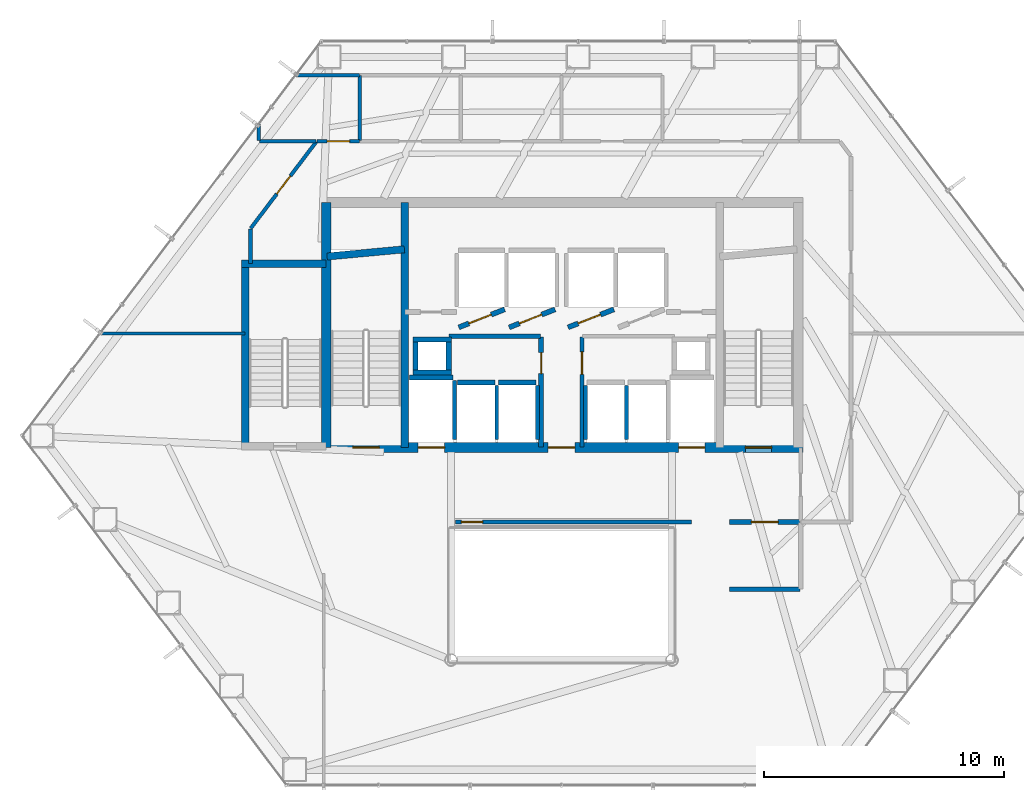
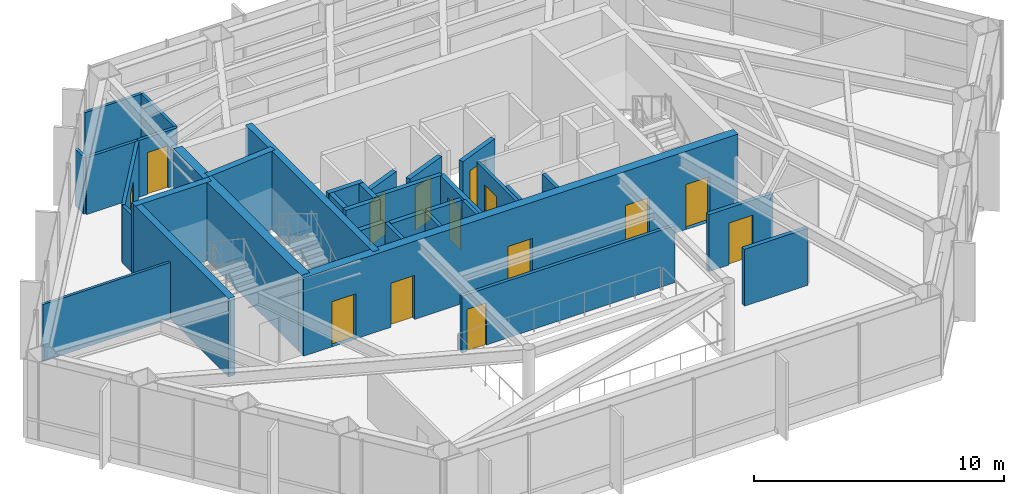
# One storey, part 23 of 26: 35 walls, 14 doors, 14 openings.
"""IFC4 building model written with IfcOpenShell, lengths in metres."""

from ifc_helpers import new_model, si_unit, direction, frame, frame_2d, origin, place, context, subcontext, project, spatial, rectangle, extrude, material, layer, layer_set, type_object, element, fill, save


model = new_model("IFC4")

# Units and contexts
model_context = context("Model", 3, precision=1e-05, world=origin(), true_north=direction((0.0, 1.0)))
body_context = subcontext(model_context, "Body", "Model", "MODEL_VIEW")
ifc_project = project(units=[si_unit("LENGTHUNIT", "METRE"), si_unit("AREAUNIT", "SQUARE_METRE"), si_unit("VOLUMEUNIT", "CUBIC_METRE"), si_unit("PLANEANGLEUNIT", "RADIAN"), si_unit("MASSUNIT", "GRAM", prefix="KILO")], contexts=[model_context])

# Site, building, storey
site_placement = place(None, origin())
site = spatial("IfcSite", under=ifc_project, at=site_placement, CompositionType="ELEMENT")
building_placement = place(site_placement, origin())
building = spatial("IfcBuilding", under=site, at=building_placement, Name="Zarrinselat Tower", CompositionType="ELEMENT")
storey_placement = place(building_placement, frame((0.0, 0.0, 27.5400390625)))
storey = spatial("IfcBuildingStorey", under=building, at=storey_placement, Name="L06", CompositionType="ELEMENT", Elevation=27.5400390625)

# Wall, opening, door
ifc_material_1 = material(Name="Concrete C40/50", Category="concrete")
ifc_layer_1 = layer(ifc_material_1, 0.18994140625)
ifc_layer_set_1 = layer_set([ifc_layer_1], Name="Concrete C40/50")
wall_type_1 = type_object("IfcWallType", Name="WAL-PART-EI120", PredefinedType="PARTITIONING", material=ifc_layer_set_1)
wall_1_placement = place(storey_placement, frame((45.385009765625, 30.14990234375, 0.0), z_axis=(0.0, 0.0, 1.0), x_axis=(1.0, 0.0, 0.0)))
wall_1 = element("IfcWall", 1, at=wall_1_placement, inside=storey, type_object=wall_type_1, Name="L06 Partition Wall 8", PredefinedType="PARTITIONING", context=body_context, shape_type="SweptSolid", body=[
    extrude(rectangle(XDim=2.945068359375, YDim=0.18994140625, at=frame_2d((1.47265625, 0.0))), origin(), (0.0, 0.0, 1.0), 2.77685546875),
])
opening_1_placement = place(wall_1_placement, frame((0.91259765625, 0.0, 0.0)))
opening_1 = element("IfcOpeningElement", 2, at=opening_1_placement, cuts=wall_1, Name="Opening ID-02", PredefinedType="OPENING", context=body_context, shape_type="SweptSolid", body=[
    extrude(rectangle(XDim=1.1201171875, YDim=2.050048828125, at=frame_2d((0.56005859375, 1.02490234375))), frame((0.0, 0.10498046875, 0.0), z_axis=(0.0, -1.0, 0.0), x_axis=(1.0, 0.0, 0.0)), (0.0, 0.0, 1.0), 0.2099609375),
])
ifc_material_2 = material(Name="Steel S355J2", Category="steel")
door_type_1 = type_object("IfcDoorType", Name="DR-INT-FD60-W", OperationType="NOTDEFINED", PredefinedType="DOOR", material=ifc_material_2)
door_1_placement = place(opening_1_placement, origin())
door_1 = element("IfcDoor", 3, at=door_1_placement, inside=storey, type_object=door_type_1, Name="L06 Interior Door P8", OperationType="SINGLE_SWING_LEFT", OverallHeight=2.050048828125, OverallWidth=1.1201171875, PredefinedType="DOOR", context=body_context, shape_type="SweptSolid", body=[
    extrude(rectangle(XDim=1.1201171875, YDim=2.050048828125, at=frame_2d((0.56005859375, 1.02490234375))), frame((0.0, 0.02490234375, 0.0), z_axis=(0.0, -1.0, 0.0), x_axis=(1.0, 0.0, 0.0)), (0.0, 0.0, 1.0), 0.050048828125),
])
fill(opening_1, door_1)

# Wall
wall_2_placement = place(storey_placement, frame((45.39990234375, 27.35009765625, 0.0), z_axis=(0.0, 0.0, 1.0), x_axis=(1.0, 0.0, 0.0)))
element("IfcWall", 4, at=wall_2_placement, inside=storey, type_object=wall_type_1, Name="L06 Partition Wall 11", PredefinedType="PARTITIONING", context=body_context, shape_type="SweptSolid", body=[
    extrude(rectangle(XDim=2.93017578125, YDim=0.18994140625, at=frame_2d((1.465087890625, 0.0))), origin(), (0.0, 0.0, 1.0), 2.77685546875),
])

# Wall, opening, door
ifc_material_3 = material(Name="Fire-Rated Gypsum Board Partition", Category="gypsum")
ifc_layer_2 = layer(ifc_material_3, 0.14990234375)
ifc_layer_set_2 = layer_set([ifc_layer_2], Name="Fire-Rated Gypsum Board Partition")
wall_type_2 = type_object("IfcWallType", Name="WAL-PART-EI60", PredefinedType="PARTITIONING", material=ifc_layer_set_2)
wall_3_placement = place(storey_placement, frame((39.25, 33.264892578125, 0.0), z_axis=(0.0, 0.0, 1.0), x_axis=(0.0, 1.0, 0.0)))
wall_3 = element("IfcWall", 5, at=wall_3_placement, inside=storey, type_object=wall_type_2, Name="L06 Partition Wall 7", PredefinedType="PARTITIONING", context=body_context, shape_type="SweptSolid", body=[
    extrude(rectangle(XDim=4.59521484375, YDim=0.14990234375, at=frame_2d((2.297607421875, 0.0))), origin(), (0.0, 0.0, 1.0), 2.77685546875),
])
opening_2_placement = place(wall_3_placement, frame((3.027587890625, 0.0, 0.0)))
opening_2 = element("IfcOpeningElement", 6, at=opening_2_placement, cuts=wall_3, Name="Opening ID-04", PredefinedType="OPENING", context=body_context, shape_type="SweptSolid", body=[
    extrude(rectangle(XDim=0.93994140625, YDim=2.050048828125, at=frame_2d((0.469970703125, 1.02490234375))), frame((0.0, 0.0849609375, 0.0), z_axis=(0.0, -1.0, 0.0), x_axis=(1.0, 0.0, 0.0)), (0.0, 0.0, 1.0), 0.169921875),
])
ifc_material_4 = material(Name="Fire-Rated Gypsum Board Partition")
door_type_2 = type_object("IfcDoorType", Name="DR-INT-FD30-ENT", OperationType="NOTDEFINED", PredefinedType="DOOR", material=ifc_material_4)
door_2_placement = place(opening_2_placement, origin())
door_2 = element("IfcDoor", 7, at=door_2_placement, inside=storey, type_object=door_type_2, Name="L06 Interior Door P7", OperationType="SINGLE_SWING_RIGHT", OverallHeight=2.050048828125, OverallWidth=0.93994140625, PredefinedType="DOOR", context=body_context, shape_type="SweptSolid", body=[
    extrude(rectangle(XDim=0.93994140625, YDim=2.050048828125, at=frame_2d((0.469970703125, 1.02490234375))), frame((0.0, 0.02490234375, 0.0), z_axis=(0.0, -1.0, 0.0), x_axis=(1.0, 0.0, 0.0)), (0.0, 0.0, 1.0), 0.050048828125),
])
fill(opening_2, door_2)

wall_4_placement = place(storey_placement, frame((33.985107421875, 30.14990234375, 0.0), z_axis=(0.0, 0.0, 1.0), x_axis=(1.0, 0.0, 0.0)))
wall_4 = element("IfcWall", 8, at=wall_4_placement, inside=storey, type_object=wall_type_2, Name="L06 Partition Wall 10", PredefinedType="PARTITIONING", context=body_context, shape_type="SweptSolid", body=[
    extrude(rectangle(XDim=9.829833984375, YDim=0.14990234375, at=frame_2d((4.9150390625, 0.0))), origin(), (0.0, 0.0, 1.0), 2.77685546875),
])
opening_3_placement = place(wall_4_placement, frame((0.25, 0.0, 0.0)))
opening_3 = element("IfcOpeningElement", 9, at=opening_3_placement, cuts=wall_4, Name="Opening ID-03", PredefinedType="OPENING", context=body_context, shape_type="SweptSolid", body=[
    extrude(rectangle(XDim=0.8798828125, YDim=2.050048828125, at=frame_2d((0.43994140625, 1.02490234375))), frame((0.0, 0.0849609375, 0.0), z_axis=(0.0, -1.0, 0.0), x_axis=(1.0, 0.0, 0.0)), (0.0, 0.0, 1.0), 0.169921875),
])
ifc_material_5 = material(Name="Steel S355J2", Category="steel")
door_type_3 = type_object("IfcDoorType", Name="DR-INT-FD60-S", OperationType="NOTDEFINED", PredefinedType="DOOR", material=ifc_material_5)
door_3_placement = place(opening_3_placement, origin())
door_3 = element("IfcDoor", 10, at=door_3_placement, inside=storey, type_object=door_type_3, Name="L06 Interior Door P10", OperationType="SINGLE_SWING_LEFT", OverallHeight=2.050048828125, OverallWidth=0.8798828125, PredefinedType="DOOR", context=body_context, shape_type="SweptSolid", body=[
    extrude(rectangle(XDim=0.8798828125, YDim=2.050048828125, at=frame_2d((0.43994140625, 1.02490234375))), frame((0.0, 0.02490234375, 0.0), z_axis=(0.0, -1.0, 0.0), x_axis=(1.0, 0.0, 0.0)), (0.0, 0.0, 1.0), 0.050048828125),
])
fill(opening_3, door_3)

wall_5_placement = place(storey_placement, frame((28.222900390625, 46.0, 0.0), z_axis=(0.0, 0.0, 1.0), x_axis=(1.0, 0.0, 0.0)))
wall_5 = element("IfcWall", 11, at=wall_5_placement, inside=storey, type_object=wall_type_2, Name="L06 Partition Wall 13", PredefinedType="PARTITIONING", context=body_context, shape_type="SweptSolid", body=[
    extrude(rectangle(XDim=1.772216796875, YDim=0.14990234375, at=frame_2d((0.88623046875, 0.0))), origin(), (0.0, 0.0, 1.0), 2.77685546875),
])
opening_4_placement = place(wall_5_placement, frame((0.416015625, 0.0, 0.0)))
opening_4 = element("IfcOpeningElement", 12, at=opening_4_placement, cuts=wall_5, Name="Opening ID-04", PredefinedType="OPENING", context=body_context, shape_type="SweptSolid", body=[
    extrude(rectangle(XDim=0.93994140625, YDim=2.050048828125, at=frame_2d((0.469970703125, 1.02490234375))), frame((0.0, 0.0849609375, 0.0), z_axis=(0.0, -1.0, 0.0), x_axis=(1.0, 0.0, 0.0)), (0.0, 0.0, 1.0), 0.169921875),
])
door_4_placement = place(opening_4_placement, origin())
door_4 = element("IfcDoor", 13, at=door_4_placement, inside=storey, type_object=door_type_2, Name="L06 Interior Door P13", OperationType="SINGLE_SWING_RIGHT", OverallHeight=2.050048828125, OverallWidth=0.93994140625, PredefinedType="DOOR", context=body_context, shape_type="SweptSolid", body=[
    extrude(rectangle(XDim=0.93994140625, YDim=2.050048828125, at=frame_2d((0.469970703125, 1.02490234375))), frame((0.0, 0.02490234375, 0.0), z_axis=(0.0, -1.0, 0.0), x_axis=(1.0, 0.0, 0.0)), (0.0, 0.0, 1.0), 0.050048828125),
])
fill(opening_4, door_4)

# Wall
wall_6_placement = place(storey_placement, frame((25.449951171875, 40.9150390625, 0.0), z_axis=(0.0, 0.0, 1.0), x_axis=(0.0, 1.0, 0.0)))
element("IfcWall", 14, at=wall_6_placement, inside=storey, type_object=wall_type_2, Name="L06 Partition Wall 19", PredefinedType="PARTITIONING", context=body_context, shape_type="SweptSolid", body=[
    extrude(rectangle(XDim=1.424560546875, YDim=0.14990234375, at=frame_2d((0.71240234375, 0.0))), origin(), (0.0, 0.0, 1.0), 2.77685546875),
])

# Wall, opening, door
wall_7_placement = place(storey_placement, frame((25.462158203125, 42.37548828125, 0.0), z_axis=(0.0, 0.0, 1.0), x_axis=(0.603832768772, 0.797111025741, 0.0)))
wall_7 = element("IfcWall", 15, at=wall_7_placement, inside=storey, type_object=wall_type_2, Name="L06 Partition Wall 20", PredefinedType="PARTITIONING", context=body_context, shape_type="SweptSolid", body=[
    extrude(rectangle(XDim=4.527099609375, YDim=0.14990234375, at=frame_2d((2.263671875, 0.0))), origin(), (0.0, 0.0, 1.0), 2.77685546875),
])
opening_5_placement = place(wall_7_placement, frame((1.79345703125, 0.0, 0.0)))
opening_5 = element("IfcOpeningElement", 16, at=opening_5_placement, cuts=wall_7, Name="Opening ID-04", PredefinedType="OPENING", context=body_context, shape_type="SweptSolid", body=[
    extrude(rectangle(XDim=0.93994140625, YDim=2.050048828125, at=frame_2d((0.469970703125, 1.02490234375))), frame((0.0, 0.0849609375, 0.0), z_axis=(0.0, -1.0, 0.0), x_axis=(1.0, 0.0, 0.0)), (0.0, 0.0, 1.0), 0.169921875),
])
door_5_placement = place(opening_5_placement, origin())
door_5 = element("IfcDoor", 17, at=door_5_placement, inside=storey, type_object=door_type_2, Name="L06 Interior Door P20", OperationType="SINGLE_SWING_LEFT", OverallHeight=2.050048828125, OverallWidth=0.93994140625, PredefinedType="DOOR", context=body_context, shape_type="SweptSolid", body=[
    extrude(rectangle(XDim=0.93994140625, YDim=2.050048828125, at=frame_2d((0.469970703125, 1.02490234375))), frame((0.0, 0.02490234375, 0.0), z_axis=(0.0, -1.0, 0.0), x_axis=(1.0, 0.0, 0.0)), (0.0, 0.0, 1.0), 0.050048828125),
])
fill(opening_5, door_5)

ifc_material_6 = material(Name="Concrete C40/50", Category="concrete")
ifc_layer_3 = layer(ifc_material_6, 0.199951171875)
ifc_layer_set_3 = layer_set([ifc_layer_3], Name="Concrete C40/50")
wall_type_3 = type_object("IfcWallType", Name="WAL-PART-PLANT", PredefinedType="PARTITIONING", material=ifc_layer_set_3)
wall_8_placement = place(storey_placement, frame((37.550048828125, 33.264892578125, 0.0), z_axis=(0.0, 0.0, 1.0), x_axis=(0.0, 1.0, 0.0)))
wall_8 = element("IfcWall", 18, at=wall_8_placement, inside=storey, type_object=wall_type_3, Name="L06 Partition Wall 1", PredefinedType="PARTITIONING", context=body_context, shape_type="SweptSolid", body=[
    extrude(rectangle(XDim=4.59521484375, YDim=0.199951171875, at=frame_2d((2.297607421875, 0.0))), origin(), (0.0, 0.0, 1.0), 2.77685546875),
])
opening_6_placement = place(wall_8_placement, frame((3.0576171875, 0.0, 0.0)))
opening_6 = element("IfcOpeningElement", 19, at=opening_6_placement, cuts=wall_8, Name="Opening ID-03", PredefinedType="OPENING", context=body_context, shape_type="SweptSolid", body=[
    extrude(rectangle(XDim=0.8798828125, YDim=2.050048828125, at=frame_2d((0.43994140625, 1.02490234375))), frame((0.0, 0.10986328125, 0.0), z_axis=(0.0, -1.0, 0.0), x_axis=(1.0, 0.0, 0.0)), (0.0, 0.0, 1.0), 0.219970703125),
])
door_6_placement = place(opening_6_placement, origin())
door_6 = element("IfcDoor", 20, at=door_6_placement, inside=storey, type_object=door_type_3, Name="L06 Interior Door P1", OperationType="SINGLE_SWING_LEFT", OverallHeight=2.050048828125, OverallWidth=0.8798828125, PredefinedType="DOOR", context=body_context, shape_type="SweptSolid", body=[
    extrude(rectangle(XDim=0.8798828125, YDim=2.050048828125, at=frame_2d((0.43994140625, 1.02490234375))), frame((0.0, 0.02490234375, 0.0), z_axis=(0.0, -1.0, 0.0), x_axis=(1.0, 0.0, 0.0)), (0.0, 0.0, 1.0), 0.050048828125),
])
fill(opening_6, door_6)

# Walls
wall_9_placement = place(storey_placement, frame((33.705078125, 37.8798828125, 0.0), z_axis=(0.0, 0.0, 1.0), x_axis=(1.0, 0.0, 0.0)))
element("IfcWall", 21, at=wall_9_placement, inside=storey, type_object=wall_type_3, Name="L06 Partition Wall 2", PredefinedType="PARTITIONING", context=body_context, shape_type="SweptSolid", body=[
    extrude(rectangle(XDim=3.824951171875, YDim=0.199951171875, at=frame_2d((1.91259765625, 0.0))), origin(), (0.0, 0.0, 1.0), 2.77685546875),
])
ifc_material_7 = material(Name="Fire-Rated Gypsum Board Partition", Category="gypsum")
ifc_layer_4 = layer(ifc_material_7, 0.1201171875)
ifc_layer_set_4 = layer_set([ifc_layer_4], Name="Fire-Rated Gypsum Board Partition")
wall_type_4 = type_object("IfcWallType", Name="WAL-PART-STD", PredefinedType="PARTITIONING", material=ifc_layer_set_4)
wall_10_placement = place(storey_placement, frame((19.201416015625, 38.0, 0.0), z_axis=(0.0, 0.0, 1.0), x_axis=(1.0, 0.0, 0.0)))
element("IfcWall", 22, at=wall_10_placement, inside=storey, type_object=wall_type_4, Name="L06 Partition Wall 37", PredefinedType="PARTITIONING", context=body_context, shape_type="SweptSolid", body=[
    extrude(rectangle(XDim=6.013671875, YDim=0.1201171875, at=frame_2d((3.0068359375, 0.0))), origin(), (0.0, 0.0, 1.0), 2.77685546875),
])
ifc_material_8 = material(Name="Fire-Rated Gypsum Board Partition", Category="gypsum")
ifc_layer_5 = layer(ifc_material_8, 0.135009765625)
ifc_layer_set_5 = layer_set([ifc_layer_5], Name="Fire-Rated Gypsum Board Partition")
wall_type_5 = type_object("IfcWallType", Name="WAL-PART-WET", PredefinedType="PARTITIONING", material=ifc_layer_set_5)
wall_11_placement = place(storey_placement, frame((30.0, 46.02001953125, 0.0), z_axis=(0.0, 0.0, 1.0), x_axis=(0.0, 1.0, 0.0)))
element("IfcWall", 23, at=wall_11_placement, inside=storey, type_object=wall_type_5, Name="L06 Partition Wall 26", PredefinedType="PARTITIONING", context=body_context, shape_type="SweptSolid", body=[
    extrude(rectangle(XDim=2.7099609375, YDim=0.135009765625, at=frame_2d((1.35498046875, 0.0))), origin(), (0.0, 0.0, 1.0), 2.77685546875),
])
wall_12_placement = place(storey_placement, frame((25.820068359375, 46.0, 0.0), z_axis=(0.0, 0.0, 1.0), x_axis=(1.0, 0.0, 0.0)))
element("IfcWall", 24, at=wall_12_placement, inside=storey, type_object=wall_type_5, Name="L06 Partition Wall 27", PredefinedType="PARTITIONING", context=body_context, shape_type="SweptSolid", body=[
    extrude(rectangle(XDim=2.36767578125, YDim=0.135009765625, at=frame_2d((1.183837890625, 0.0))), origin(), (0.0, 0.0, 1.0), 2.77685546875),
])
wall_13_placement = place(storey_placement, frame((25.800048828125, 46.02001953125, 0.0), z_axis=(0.0, 0.0, 1.0), x_axis=(0.0, 1.0, 0.0)))
element("IfcWall", 25, at=wall_13_placement, inside=storey, type_object=wall_type_5, Name="L06 Partition Wall 28", PredefinedType="PARTITIONING", context=body_context, shape_type="SweptSolid", body=[
    extrude(rectangle(XDim=0.69482421875, YDim=0.135009765625, at=frame_2d((0.347412109375, 0.0))), origin(), (0.0, 0.0, 1.0), 2.77685546875),
])
wall_14_placement = place(storey_placement, frame((27.345458984375, 48.75, 0.0), z_axis=(0.0, 0.0, 1.0), x_axis=(1.0, 0.0, 0.0)))
element("IfcWall", 26, at=wall_14_placement, inside=storey, type_object=wall_type_5, Name="L06 Partition Wall 29", PredefinedType="PARTITIONING", context=body_context, shape_type="SweptSolid", body=[
    extrude(rectangle(XDim=2.634521484375, YDim=0.135009765625, at=frame_2d((1.3173828125, 0.0))), origin(), (0.0, 0.0, 1.0), 2.77685546875),
])
ifc_material_9 = material(Name="Concrete C40/50", Category="concrete")
ifc_layer_6 = layer(ifc_material_9, 0.2099609375)
ifc_layer_set_6 = layer_set([ifc_layer_6], Name="Concrete C40/50")
wall_type_6 = type_object("IfcWallType", Name="WAL-SHAFT-210", PredefinedType="SOLIDWALL", material=ifc_layer_set_6)
wall_15_placement = place(storey_placement, frame((32.080078125, 36.155029296875, 0.0), z_axis=(0.0, 0.0, 1.0), x_axis=(1.0, 0.0, 0.0)))
element("IfcWall", 27, at=wall_15_placement, inside=storey, type_object=wall_type_6, Name="L06 Lift FFL1 North Shaft Wall", PredefinedType="SOLIDWALL", context=body_context, shape_type="SweptSolid", body=[
    extrude(rectangle(XDim=1.7998046875, YDim=0.2099609375, at=frame_2d((0.89990234375, 0.0))), origin(), (0.0, 0.0, 1.0), 2.7919921875),
])
wall_16_placement = place(storey_placement, frame((33.949951171875, 33.580078125, 0.0), z_axis=(0.0, 0.0, 1.0), x_axis=(0.0, 1.0, 0.0)))
element("IfcWall", 28, at=wall_16_placement, inside=storey, type_object=wall_type_6, Name="L06 Lift FFL1 E Shaft Wall", PredefinedType="SOLIDWALL", context=body_context, shape_type="SweptSolid", body=[
    extrude(rectangle(XDim=2.449951171875, YDim=0.159912109375, at=frame_2d((1.22509765625, 0.0))), origin(), (0.0, 0.0, 1.0), 2.7919921875),
])

# Wall, opening, door
wall_17_placement = place(storey_placement, frame((34.1201171875, 38.25, 0.0), z_axis=(0.0, 0.0, 1.0), x_axis=(0.930804993012, 0.36551616241, 0.0)))
wall_17 = element("IfcWall", 29, at=wall_17_placement, inside=storey, type_object=wall_type_6, Name="L06 Lift PL1 Front Shaft Wall", PredefinedType="SOLIDWALL", context=body_context, shape_type="SweptSolid", body=[
    extrude(rectangle(XDim=2.052001953125, YDim=0.2099609375, at=frame_2d((1.02587890625, 0.0))), origin(), (0.0, 0.0, 1.0), 2.7919921875),
])
opening_7_placement = place(wall_17_placement, frame((0.455078125, 0.0, 0.0)))
opening_7 = element("IfcOpeningElement", 30, at=opening_7_placement, cuts=wall_17, Name="Opening LD-PL1", PredefinedType="OPENING", context=body_context, shape_type="SweptSolid", body=[
    extrude(rectangle(XDim=1.0, YDim=2.10009765625, at=frame_2d((0.5, 1.050048828125))), frame((0.0, 0.114990234375, 0.0), z_axis=(0.0, -1.0, 0.0), x_axis=(1.0, 0.0, 0.0)), (0.0, 0.0, 1.0), 0.22998046875),
])
ifc_material_10 = material(Name="Steel S355J2", Category="steel")
door_type_4 = type_object("IfcDoorType", Name="DR-LIFT-PS-1000", OperationType="NOTDEFINED", PredefinedType="DOOR", material=ifc_material_10)
door_7_placement = place(opening_7_placement, origin())
door_7 = element("IfcDoor", 31, at=door_7_placement, inside=storey, type_object=door_type_4, Name="L06 Lift PL1 Sliding Landing Door", OperationType="SLIDING_TO_LEFT", OverallHeight=2.10009765625, OverallWidth=1.0, PredefinedType="DOOR", context=body_context, shape_type="SweptSolid", body=[
    extrude(rectangle(XDim=1.0, YDim=2.10009765625, at=frame_2d((0.5, 1.050048828125))), frame((0.0, 0.02490234375, 0.0), z_axis=(0.0, -1.0, 0.0), x_axis=(1.0, 0.0, 0.0)), (0.0, 0.0, 1.0), 0.050048828125),
])
fill(opening_7, door_7)

wall_18_placement = place(storey_placement, frame((36.219970703125, 38.25, 0.0), z_axis=(0.0, 0.0, 1.0), x_axis=(0.930804993012, 0.36551616241, 0.0)))
wall_18 = element("IfcWall", 32, at=wall_18_placement, inside=storey, type_object=wall_type_6, Name="L06 Lift PL2 Front Shaft Wall", PredefinedType="SOLIDWALL", context=body_context, shape_type="SweptSolid", body=[
    extrude(rectangle(XDim=2.052001953125, YDim=0.2099609375, at=frame_2d((1.02587890625, 0.0))), origin(), (0.0, 0.0, 1.0), 2.7919921875),
])
opening_8_placement = place(wall_18_placement, frame((0.455078125, 0.0, 0.0)))
opening_8 = element("IfcOpeningElement", 33, at=opening_8_placement, cuts=wall_18, Name="Opening LD-PL2", PredefinedType="OPENING", context=body_context, shape_type="SweptSolid", body=[
    extrude(rectangle(XDim=1.0, YDim=2.10009765625, at=frame_2d((0.5, 1.050048828125))), frame((0.0, 0.114990234375, 0.0), z_axis=(0.0, -1.0, 0.0), x_axis=(1.0, 0.0, 0.0)), (0.0, 0.0, 1.0), 0.22998046875),
])
door_8_placement = place(opening_8_placement, origin())
door_8 = element("IfcDoor", 34, at=door_8_placement, inside=storey, type_object=door_type_4, Name="L06 Lift PL2 Sliding Landing Door", OperationType="SLIDING_TO_RIGHT", OverallHeight=2.10009765625, OverallWidth=1.0, PredefinedType="DOOR", context=body_context, shape_type="SweptSolid", body=[
    extrude(rectangle(XDim=1.0, YDim=2.10009765625, at=frame_2d((0.5, 1.050048828125))), frame((0.0, 0.02490234375, 0.0), z_axis=(0.0, -1.0, 0.0), x_axis=(1.0, 0.0, 0.0)), (0.0, 0.0, 1.0), 0.050048828125),
])
fill(opening_8, door_8)

wall_19_placement = place(storey_placement, frame((38.669921875, 38.25, 0.0), z_axis=(0.0, 0.0, 1.0), x_axis=(0.930820886763, 0.3654756856, 0.0)))
wall_19 = element("IfcWall", 35, at=wall_19_placement, inside=storey, type_object=wall_type_6, Name="L06 Lift PL3 Front Shaft Wall", PredefinedType="SOLIDWALL", context=body_context, shape_type="SweptSolid", body=[
    extrude(rectangle(XDim=2.052001953125, YDim=0.2099609375, at=frame_2d((1.02587890625, 0.0))), origin(), (0.0, 0.0, 1.0), 2.7919921875),
])
opening_9_placement = place(wall_19_placement, frame((0.455078125, 0.0, 0.0)))
opening_9 = element("IfcOpeningElement", 36, at=opening_9_placement, cuts=wall_19, Name="Opening LD-PL3", PredefinedType="OPENING", context=body_context, shape_type="SweptSolid", body=[
    extrude(rectangle(XDim=1.0, YDim=2.10009765625, at=frame_2d((0.5, 1.050048828125))), frame((0.0, 0.114990234375, 0.0), z_axis=(0.0, -1.0, 0.0), x_axis=(1.0, 0.0, 0.0)), (0.0, 0.0, 1.0), 0.22998046875),
])
door_9_placement = place(opening_9_placement, origin())
door_9 = element("IfcDoor", 37, at=door_9_placement, inside=storey, type_object=door_type_4, Name="L06 Lift PL3 Sliding Landing Door", OperationType="SLIDING_TO_LEFT", OverallHeight=2.10009765625, OverallWidth=1.0, PredefinedType="DOOR", context=body_context, shape_type="SweptSolid", body=[
    extrude(rectangle(XDim=1.0, YDim=2.10009765625, at=frame_2d((0.5, 1.050048828125))), frame((0.0, 0.02490234375, 0.0), z_axis=(0.0, -1.0, 0.0), x_axis=(1.0, 0.0, 0.0)), (0.0, 0.0, 1.0), 0.050048828125),
])
fill(opening_9, door_9)

# Walls
wall_20_placement = place(storey_placement, frame((34.070068359375, 35.955078125, 0.0), z_axis=(0.0, 0.0, 1.0), x_axis=(1.0, 0.0, 0.0)))
element("IfcWall", 38, at=wall_20_placement, inside=storey, type_object=wall_type_6, Name="L06 Lift PL5 North Shaft Wall", PredefinedType="SOLIDWALL", context=body_context, shape_type="SweptSolid", body=[
    extrude(rectangle(XDim=1.559814453125, YDim=0.2099609375, at=frame_2d((0.77978515625, 0.0))), origin(), (0.0, 0.0, 1.0), 2.7919921875),
])
wall_21_placement = place(storey_placement, frame((35.699951171875, 33.580078125, 0.0), z_axis=(0.0, 0.0, 1.0), x_axis=(0.0, 1.0, 0.0)))
element("IfcWall", 39, at=wall_21_placement, inside=storey, type_object=wall_type_6, Name="L06 Lift PL5 E Shaft Wall", PredefinedType="SOLIDWALL", context=body_context, shape_type="SweptSolid", body=[
    extrude(rectangle(XDim=2.25, YDim=0.159912109375, at=frame_2d((1.125, 0.0))), origin(), (0.0, 0.0, 1.0), 2.7919921875),
])
wall_22_placement = place(storey_placement, frame((35.77001953125, 35.955078125, 0.0), z_axis=(0.0, 0.0, 1.0), x_axis=(1.0, 0.0, 0.0)))
element("IfcWall", 40, at=wall_22_placement, inside=storey, type_object=wall_type_6, Name="L06 Lift PL6 North Shaft Wall", PredefinedType="SOLIDWALL", context=body_context, shape_type="SweptSolid", body=[
    extrude(rectangle(XDim=1.56005859375, YDim=0.2099609375, at=frame_2d((0.780029296875, 0.0))), origin(), (0.0, 0.0, 1.0), 2.7919921875),
])
for number, where, z_axis, x_axis, name in (
    (41, (37.39990234375, 33.580078125, 0.0), (0.0, 0.0, 1.0), (0.0, 1.0, 0.0), "L06 Lift PL6 E Shaft Wall"),
    (42, (39.39990234375, 33.580078125, 0.0), (0.0, 0.0, 1.0), (0.0, 1.0, 0.0), "L06 Lift PL8 W Shaft Wall"),
    (43, (41.10009765625, 33.580078125, 0.0), (0.0, 0.0, 1.0), (0.0, 1.0, 0.0), "L06 Lift PL8 E Shaft Wall"),
):
    element("IfcWall", number, at=place(storey_placement, frame(where, z_axis=z_axis, x_axis=x_axis)), inside=storey, type_object=wall_type_6, Name=name, PredefinedType="SOLIDWALL", context=body_context, shape_type="SweptSolid", body=[
        extrude(rectangle(XDim=2.25, YDim=0.159912109375, at=frame_2d((1.125, 0.0))), origin(), (0.0, 0.0, 1.0), 2.7919921875),
    ])
for number, where, z_axis, x_axis, name in (
    (44, (32.2099609375, 36.375, 0.0), (0.0, 0.0, 1.0), (1.0, 0.0, 0.0), "L06 Core Riser RSR-W S Shaft Wall"),
    (45, (32.2099609375, 37.7451171875, 0.0), (0.0, 0.0, 1.0), (1.0, 0.0, 0.0), "L06 Core Riser RSR-W N Shaft Wall"),
):
    element("IfcWall", number, at=place(storey_placement, frame(where, z_axis=z_axis, x_axis=x_axis)), inside=storey, type_object=wall_type_6, Name=name, PredefinedType="SOLIDWALL", context=body_context, shape_type="SweptSolid", body=[
        extrude(rectangle(XDim=1.60009765625, YDim=0.2099609375, at=frame_2d((0.800048828125, 0.0))), origin(), (0.0, 0.0, 1.0), 3.820068359375),
    ])
for number, where, z_axis, x_axis, name in (
    (46, (32.31494140625, 36.485107421875, 0.0), (0.0, 0.0, 1.0), (0.0, 1.0, 0.0), "L06 Core Riser RSR-W W Shaft Wall"),
    (47, (33.705078125, 36.485107421875, 0.0), (0.0, 0.0, 1.0), (0.0, 1.0, 0.0), "L06 Core Riser RSR-W E Shaft Wall"),
):
    element("IfcWall", number, at=place(storey_placement, frame(where, z_axis=z_axis, x_axis=x_axis)), inside=storey, type_object=wall_type_6, Name=name, PredefinedType="SOLIDWALL", context=body_context, shape_type="SweptSolid", body=[
        extrude(rectangle(XDim=1.14990234375, YDim=0.2099609375, at=frame_2d((0.574951171875, 0.0))), origin(), (0.0, 0.0, 1.0), 3.820068359375),
    ])
ifc_material_11 = material(Name="Concrete C40/50", Category="concrete")
ifc_layer_7 = layer(ifc_material_11, 0.300048828125)
ifc_layer_set_7 = layer_set([ifc_layer_7], Name="Concrete C40/50")
wall_type_7 = type_object("IfcWallType", Name="WAL-SHEAR-300", PredefinedType="SHEAR", material=ifc_layer_set_7)
wall_23_placement = place(storey_placement, frame((31.8701171875, 33.25, 0.0), z_axis=(0.0, 0.0, 1.0), x_axis=(0.0, 1.0, 0.0)))
element("IfcWall", 48, at=wall_23_placement, inside=storey, type_object=wall_type_7, Name="L06 Core Shear Wall ST1E", PredefinedType="SHEAR", context=body_context, shape_type="SweptSolid", body=[
    extrude(rectangle(XDim=10.199951171875, YDim=0.300048828125, at=frame_2d((5.10009765625, 0.0))), origin(), (0.0, 0.0, 1.0), 3.820068359375),
])
wall_24_placement = place(storey_placement, frame((28.639892578125, 41.199951171875, 0.0), z_axis=(0.0, 0.0, 1.0), x_axis=(0.995687118776, 0.092774789157, 0.0)))
element("IfcWall", 49, at=wall_24_placement, inside=storey, type_object=wall_type_7, Name="L06 Stair 1 North Shaft Wall", PredefinedType="SHEAR", context=body_context, shape_type="SweptSolid", body=[
    extrude(rectangle(XDim=3.234130859375, YDim=0.300048828125, at=frame_2d((1.6171875, 0.0))), origin(), (0.0, 0.0, 1.0), 3.820068359375),
])
wall_25_placement = place(storey_placement, frame((25.080078125, 40.89990234375, 0.0), z_axis=(0.0, 0.0, 1.0), x_axis=(1.0, 0.0, 0.0)))
element("IfcWall", 50, at=wall_25_placement, inside=storey, type_object=wall_type_7, Name="L06 Stair 3 North Shear Wall", PredefinedType="SHEAR", context=body_context, shape_type="SweptSolid", body=[
    extrude(rectangle(XDim=3.52001953125, YDim=0.300048828125, at=frame_2d((1.760009765625, 0.0))), origin(), (0.0, 0.0, 1.0), 3.820068359375),
])
wall_26_placement = place(storey_placement, frame((25.22998046875, 33.300048828125, 0.0), z_axis=(0.0, 0.0, 1.0), x_axis=(0.0, 1.0, 0.0)))
element("IfcWall", 51, at=wall_26_placement, inside=storey, type_object=wall_type_7, Name="L06 Stair 3 West Shear Wall", PredefinedType="SHEAR", context=body_context, shape_type="SweptSolid", body=[
    extrude(rectangle(XDim=7.599853515625, YDim=0.300048828125, at=frame_2d((3.7998046875, 0.0))), origin(), (0.0, 0.0, 1.0), 3.820068359375),
])

# Wall, openings, doors
ifc_material_12 = material(Name="Concrete C60/75", Category="concrete")
ifc_layer_8 = layer(ifc_material_12, 0.39990234375)
ifc_layer_set_8 = layer_set([ifc_layer_8], Name="Concrete C60/75")
wall_type_8 = type_object("IfcWallType", Name="WAL-SHEAR-400", PredefinedType="SHEAR", material=ifc_layer_set_8)
wall_27_placement = place(storey_placement, frame((28.39990234375, 33.25, 0.0), z_axis=(0.0, 0.0, 1.0), x_axis=(1.0, 0.0, 0.0)))
wall_27 = element("IfcWall", 52, at=wall_27_placement, inside=storey, type_object=wall_type_8, Name="L06 South Core Shear Wall", PredefinedType="SHEAR", context=body_context, shape_type="SweptSolid", body=[
    extrude(rectangle(XDim=20.06005859375, YDim=0.39990234375, at=frame_2d((10.030029296875, 0.0))), origin(), (0.0, 0.0, 1.0), 3.820068359375),
])
opening_10_placement = place(wall_27_placement, frame((4.030029296875, 0.0, 0.0)))
opening_10 = element("IfcOpeningElement", 53, at=opening_10_placement, cuts=wall_27, Name="Opening LD-FFL1", PredefinedType="OPENING", context=body_context, shape_type="SweptSolid", body=[
    extrude(rectangle(XDim=1.10009765625, YDim=2.14990234375, at=frame_2d((0.550048828125, 1.074951171875))), frame((0.0, 0.2099609375, 0.0), z_axis=(0.0, -1.0, 0.0), x_axis=(1.0, 0.0, 0.0)), (0.0, 0.0, 1.0), 0.419921875),
])
opening_11_placement = place(wall_27_placement, frame((14.8701171875, 0.0, 0.0)))
opening_11 = element("IfcOpeningElement", 54, at=opening_11_placement, cuts=wall_27, Name="Opening LD-FFL2", PredefinedType="OPENING", context=body_context, shape_type="SweptSolid", body=[
    extrude(rectangle(XDim=1.10009765625, YDim=2.14990234375, at=frame_2d((0.550048828125, 1.074951171875))), frame((0.0, 0.2099609375, 0.0), z_axis=(0.0, -1.0, 0.0), x_axis=(1.0, 0.0, 0.0)), (0.0, 0.0, 1.0), 0.419921875),
])
opening_12_placement = place(wall_27_placement, frame((1.31005859375, 0.0, 0.0)))
opening_12 = element("IfcOpeningElement", 55, at=opening_12_placement, cuts=wall_27, Name="Opening SD-01", PredefinedType="OPENING", context=body_context, shape_type="SweptSolid", body=[
    extrude(rectangle(XDim=1.10009765625, YDim=2.199951171875, at=frame_2d((0.550048828125, 1.10009765625))), frame((0.0, 0.2099609375, 0.0), z_axis=(0.0, -1.0, 0.0), x_axis=(1.0, 0.0, 0.0)), (0.0, 0.0, 1.0), 0.419921875),
])
opening_13_placement = place(wall_27_placement, frame((9.43994140625, 0.0, 0.0)))
opening_13 = element("IfcOpeningElement", 56, at=opening_13_placement, cuts=wall_27, Name="Opening ID-02", PredefinedType="OPENING", context=body_context, shape_type="SweptSolid", body=[
    extrude(rectangle(XDim=1.1201171875, YDim=2.050048828125, at=frame_2d((0.56005859375, 1.02490234375))), frame((0.0, 0.2099609375, 0.0), z_axis=(0.0, -1.0, 0.0), x_axis=(1.0, 0.0, 0.0)), (0.0, 0.0, 1.0), 0.419921875),
])
opening_14_placement = place(wall_27_placement, frame((17.64990234375, 0.0, 0.0)))
opening_14 = element("IfcOpeningElement", 57, at=opening_14_placement, cuts=wall_27, Name="Opening SD-01", PredefinedType="OPENING", context=body_context, shape_type="SweptSolid", body=[
    extrude(rectangle(XDim=1.10009765625, YDim=2.199951171875, at=frame_2d((0.550048828125, 1.10009765625))), frame((0.0, 0.2099609375, 0.0), z_axis=(0.0, -1.0, 0.0), x_axis=(1.0, 0.0, 0.0)), (0.0, 0.0, 1.0), 0.419921875),
])
door_10_placement = place(opening_13_placement, origin())
door_10 = element("IfcDoor", 58, at=door_10_placement, inside=storey, type_object=door_type_1, Name="L06 Core Service Vestibule Fire Door", OperationType="SINGLE_SWING_RIGHT", OverallHeight=2.050048828125, OverallWidth=1.1201171875, PredefinedType="DOOR", context=body_context, shape_type="SweptSolid", body=[
    extrude(rectangle(XDim=1.1201171875, YDim=2.050048828125, at=frame_2d((0.56005859375, 1.02490234375))), frame((0.0, 0.02490234375, 0.0), z_axis=(0.0, -1.0, 0.0), x_axis=(1.0, 0.0, 0.0)), (0.0, 0.0, 1.0), 0.050048828125),
])
fill(opening_13, door_10)
ifc_material_13 = material(Name="Steel S355J2", Category="steel")
door_type_5 = type_object("IfcDoorType", Name="DR-LIFT-FF-1100", OperationType="NOTDEFINED", PredefinedType="DOOR", material=ifc_material_13)
door_11_placement = place(opening_10_placement, origin())
door_11 = element("IfcDoor", 59, at=door_11_placement, inside=storey, type_object=door_type_5, Name="L06 Lift FFL1 Sliding Landing Door", OperationType="SLIDING_TO_LEFT", OverallHeight=2.14990234375, OverallWidth=1.10009765625, PredefinedType="DOOR", context=body_context, shape_type="SweptSolid", body=[
    extrude(rectangle(XDim=1.10009765625, YDim=2.14990234375, at=frame_2d((0.550048828125, 1.074951171875))), frame((0.0, 0.02490234375, 0.0), z_axis=(0.0, -1.0, 0.0), x_axis=(1.0, 0.0, 0.0)), (0.0, 0.0, 1.0), 0.050048828125),
])
fill(opening_10, door_11)
door_12_placement = place(opening_11_placement, origin())
door_12 = element("IfcDoor", 60, at=door_12_placement, inside=storey, type_object=door_type_5, Name="L06 Lift FFL2 Sliding Landing Door", OperationType="SLIDING_TO_RIGHT", OverallHeight=2.14990234375, OverallWidth=1.10009765625, PredefinedType="DOOR", context=body_context, shape_type="SweptSolid", body=[
    extrude(rectangle(XDim=1.10009765625, YDim=2.14990234375, at=frame_2d((0.550048828125, 1.074951171875))), frame((0.0, 0.02490234375, 0.0), z_axis=(0.0, -1.0, 0.0), x_axis=(1.0, 0.0, 0.0)), (0.0, 0.0, 1.0), 0.050048828125),
])
fill(opening_11, door_12)
ifc_material_14 = material(Name="Steel S355J2", Category="steel")
door_type_6 = type_object("IfcDoorType", Name="DR-STAIR-1100", OperationType="NOTDEFINED", PredefinedType="DOOR", material=ifc_material_14)
door_13_placement = place(opening_12_placement, origin())
door_13 = element("IfcDoor", 61, at=door_13_placement, inside=storey, type_object=door_type_6, Name="L06 Exit Stair 1 Fire Door", OperationType="SINGLE_SWING_LEFT", OverallHeight=2.199951171875, OverallWidth=1.10009765625, PredefinedType="DOOR", context=body_context, shape_type="SweptSolid", body=[
    extrude(rectangle(XDim=1.10009765625, YDim=2.199951171875, at=frame_2d((0.550048828125, 1.10009765625))), frame((0.0, 0.02490234375, 0.0), z_axis=(0.0, -1.0, 0.0), x_axis=(1.0, 0.0, 0.0)), (0.0, 0.0, 1.0), 0.050048828125),
])
fill(opening_12, door_13)
door_14_placement = place(opening_14_placement, origin())
door_14 = element("IfcDoor", 62, at=door_14_placement, inside=storey, type_object=door_type_6, Name="L06 Exit Stair 2 Fire Door", OperationType="SINGLE_SWING_RIGHT", OverallHeight=2.199951171875, OverallWidth=1.10009765625, PredefinedType="DOOR", context=body_context, shape_type="SweptSolid", body=[
    extrude(rectangle(XDim=1.10009765625, YDim=2.199951171875, at=frame_2d((0.550048828125, 1.10009765625))), frame((0.0, 0.02490234375, 0.0), z_axis=(0.0, -1.0, 0.0), x_axis=(1.0, 0.0, 0.0)), (0.0, 0.0, 1.0), 0.050048828125),
])
fill(opening_14, door_14)

# Wall
wall_28_placement = place(storey_placement, frame((28.60009765625, 33.25, 0.0), z_axis=(0.0, 0.0, 1.0), x_axis=(0.0, 1.0, 0.0)))
element("IfcWall", 63, at=wall_28_placement, inside=storey, type_object=wall_type_8, Name="L06 Core Shear Wall W", PredefinedType="SHEAR", context=body_context, shape_type="SweptSolid", body=[
    extrude(rectangle(XDim=10.199951171875, YDim=0.39990234375, at=frame_2d((5.10009765625, 0.0))), origin(), (0.0, 0.0, 1.0), 3.820068359375),
])

save(model, "model.ifc")
